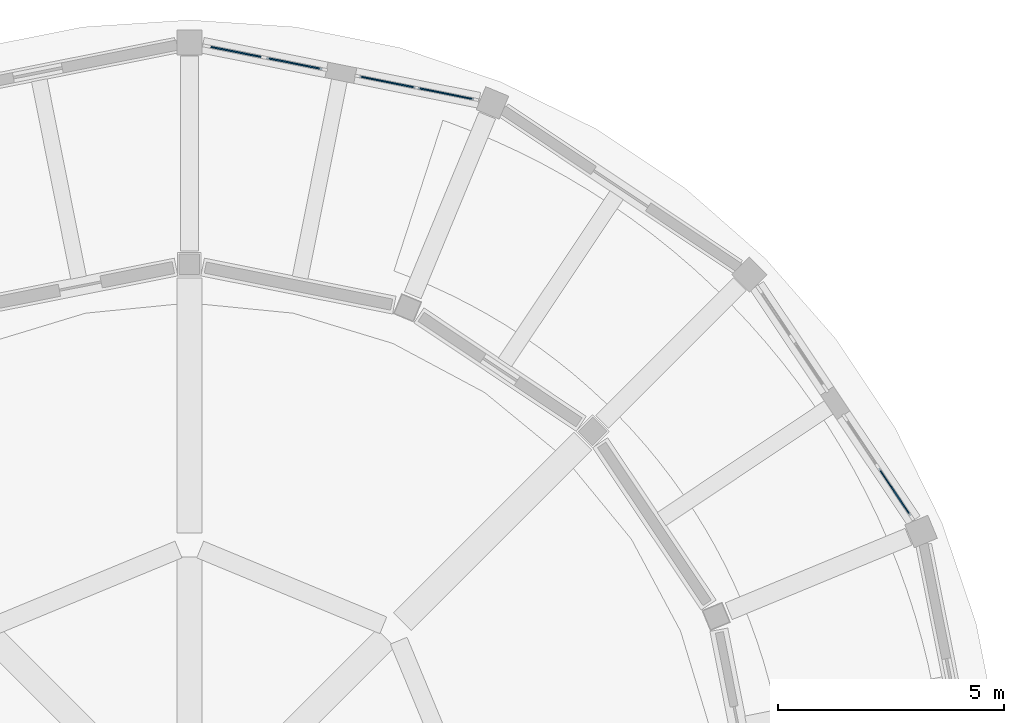
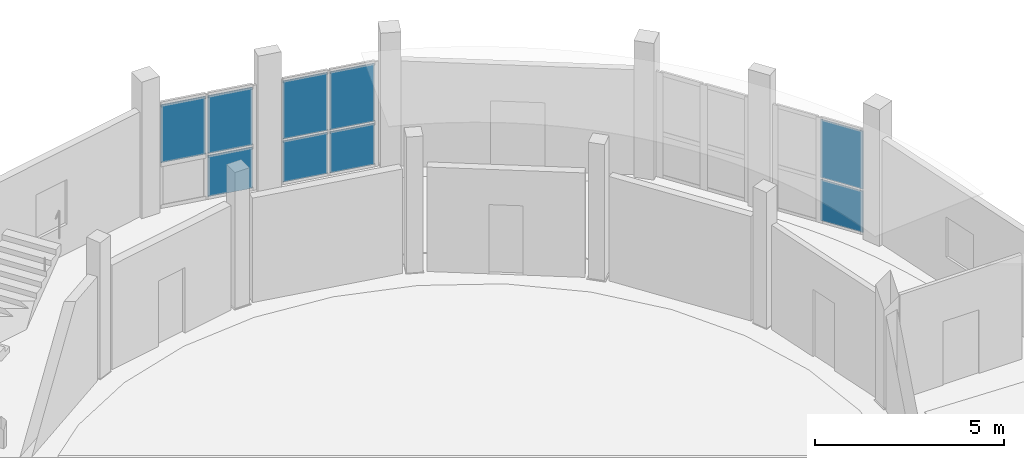
# One storey, part 58 of 92: 9 plates, 3 elements without a shape of their own.
"""IFC4 building model written with IfcOpenShell, lengths in metres."""

from ifc_helpers import new_model, si_unit, direction, frame, origin, origin_2d, place, context, subcontext, project, spatial, rectangle, extrude, material, layer, layer_set, type_object, element, aggregate, save


model = new_model("IFC4")

# Units and contexts
model_context = context("Model", 3, precision=1e-05, world=origin(), true_north=direction((0.0, 1.0)))
body_context = subcontext(model_context, "Body", "Model", "MODEL_VIEW")
ifc_project = project(units=[si_unit("LENGTHUNIT", "METRE"), si_unit("AREAUNIT", "SQUARE_METRE"), si_unit("VOLUMEUNIT", "CUBIC_METRE"), si_unit("PLANEANGLEUNIT", "RADIAN"), si_unit("MASSUNIT", "GRAM", prefix="KILO")], contexts=[model_context])

# Site, building, storey
site_placement = place(None, origin())
site = spatial("IfcSite", under=ifc_project, at=site_placement, CompositionType="ELEMENT")
building_placement = place(site_placement, origin())
building = spatial("IfcBuilding", under=site, at=building_placement, Name="Caldaven Crescent School", CompositionType="ELEMENT")
storey_placement = place(building_placement, origin())
storey = spatial("IfcBuildingStorey", under=building, at=storey_placement, Name="L00", CompositionType="ELEMENT", Elevation=0.0)

# Curtain wall, plates
ifc_material_1 = material(Name="Anodised aluminium AA 6063-T6 and low-E double glazing", Category="aluminium")
ifc_layer_1 = layer(ifc_material_1, 0.18994140625)
ifc_layer_set_1 = layer_set([ifc_layer_1], Name="Anodised aluminium AA 6063-T6 and low-E double glazing")
curtain_wall_type_1 = type_object("IfcCurtainWallType", Name="CW-SYS2", PredefinedType="NOTDEFINED", material=ifc_layer_set_1)
curtain_wall_1_placement = place(storey_placement, origin())
curtain_wall_1 = element("IfcCurtainWall", 1, at=curtain_wall_1_placement, inside=storey, type_object=curtain_wall_type_1, Name="CW-L00-001", PredefinedType="NOTDEFINED")
ifc_material_2 = material(Name="Tempered low-E double glazing IGU", Category="glass")
ifc_layer_2 = layer(ifc_material_2, 0.028076171875)
ifc_layer_set_2 = layer_set([ifc_layer_2], Name="Tempered low-E double glazing IGU")
plate_type_1 = type_object("IfcPlateType", Name="PLT-CWP02", PredefinedType="CURTAIN_PANEL", material=ifc_layer_set_2)
plate_1_placement = place(storey_placement, frame((168.084716796875, 106.06982421875, 0.06005859375), z_axis=(0.0, 0.0, 1.0), x_axis=(-0.555569320019, 0.83147022235, 0.0)))
plate_1 = element("IfcPlate", 2, at=plate_1_placement, type_object=plate_type_1, Name="CW2 panel 1.1", PredefinedType="CURTAIN_PANEL", context=body_context, shape_type="SweptSolid", body=[
    extrude(rectangle(XDim=1.24951171875, YDim=0.028076171875, at=origin_2d()), origin(), (0.0, 0.0, 1.0), 1.337890625),
])
plate_2_placement = place(storey_placement, frame((168.084716796875, 106.06982421875, 1.4580078125), z_axis=(0.0, 0.0, 1.0), x_axis=(-0.555569320019, 0.83147022235, 0.0)))
plate_2 = element("IfcPlate", 3, at=plate_2_placement, type_object=plate_type_1, Name="CW2 panel 1.2", PredefinedType="CURTAIN_PANEL", context=body_context, shape_type="SweptSolid", body=[
    extrude(rectangle(XDim=1.24951171875, YDim=0.028076171875, at=origin_2d()), origin(), (0.0, 0.0, 1.0), 1.882080078125),
])
aggregate(curtain_wall_1, [plate_1, plate_2])

ifc_layer_3 = layer(ifc_material_1, 0.22998046875)
ifc_layer_set_3 = layer_set([ifc_layer_3], Name="Anodised aluminium AA 6063-T6 and low-E double glazing")
curtain_wall_type_2 = type_object("IfcCurtainWallType", Name="CW-SYS4", PredefinedType="NOTDEFINED", material=ifc_layer_set_3)
curtain_wall_2_placement = place(storey_placement, origin())
curtain_wall_2 = element("IfcCurtainWall", 4, at=curtain_wall_2_placement, inside=storey, type_object=curtain_wall_type_2, Name="CW-L00-003", PredefinedType="NOTDEFINED")
ifc_layer_4 = layer(ifc_material_2, 0.031982421875)
ifc_layer_set_4 = layer_set([ifc_layer_4], Name="Tempered low-E double glazing IGU")
plate_type_2 = type_object("IfcPlateType", Name="PLT-CWP04", PredefinedType="CURTAIN_PANEL", material=ifc_layer_set_4)
plate_3_placement = place(storey_placement, frame((158.168701171875, 114.87255859375, 0.06494140625), z_axis=(0.0, 0.0, 1.0), x_axis=(-0.980785289392, 0.195090276825, 0.0)))
plate_3 = element("IfcPlate", 5, at=plate_3_placement, type_object=plate_type_2, Name="CW4 panel 1.1", PredefinedType="CURTAIN_PANEL", context=body_context, shape_type="SweptSolid", body=[
    extrude(rectangle(XDim=1.257080078125, YDim=0.031982421875, at=origin_2d()), origin(), (0.0, 0.0, 1.0), 1.33056640625),
])
plate_4_placement = place(storey_placement, frame((158.168701171875, 114.87255859375, 1.46044921875), z_axis=(0.0, 0.0, 1.0), x_axis=(-0.980785289392, 0.195090276825, 0.0)))
plate_4 = element("IfcPlate", 6, at=plate_4_placement, type_object=plate_type_2, Name="CW4 panel 1.2", PredefinedType="CURTAIN_PANEL", context=body_context, shape_type="SweptSolid", body=[
    extrude(rectangle(XDim=1.257080078125, YDim=0.031982421875, at=origin_2d()), origin(), (0.0, 0.0, 1.0), 1.87451171875),
])
plate_5_placement = place(storey_placement, frame((156.876953125, 115.12939453125, 0.06494140625), z_axis=(0.0, 0.0, 1.0), x_axis=(-0.980785289392, 0.195090276825, 0.0)))
plate_5 = element("IfcPlate", 7, at=plate_5_placement, type_object=plate_type_2, Name="CW4 panel 2.1", PredefinedType="CURTAIN_PANEL", context=body_context, shape_type="SweptSolid", body=[
    extrude(rectangle(XDim=1.257080078125, YDim=0.031982421875, at=origin_2d()), origin(), (0.0, 0.0, 1.0), 1.33056640625),
])
plate_6_placement = place(storey_placement, frame((156.876953125, 115.12939453125, 1.46044921875), z_axis=(0.0, 0.0, 1.0), x_axis=(-0.980785289392, 0.195090276825, 0.0)))
plate_6 = element("IfcPlate", 8, at=plate_6_placement, type_object=plate_type_2, Name="CW4 panel 2.2", PredefinedType="CURTAIN_PANEL", context=body_context, shape_type="SweptSolid", body=[
    extrude(rectangle(XDim=1.257080078125, YDim=0.031982421875, at=origin_2d()), origin(), (0.0, 0.0, 1.0), 1.87451171875),
])
aggregate(curtain_wall_2, [plate_3, plate_4, plate_5, plate_6])

ifc_layer_5 = layer(ifc_material_1, 0.169921875)
ifc_layer_set_5 = layer_set([ifc_layer_5], Name="Anodised aluminium AA 6063-T6 and low-E double glazing")
curtain_wall_type_3 = type_object("IfcCurtainWallType", Name="CW-SYS1", PredefinedType="NOTDEFINED", material=ifc_layer_set_5)
curtain_wall_3_placement = place(storey_placement, origin())
curtain_wall_3 = element("IfcCurtainWall", 9, at=curtain_wall_3_placement, inside=storey, type_object=curtain_wall_type_3, Name="CW-L00-004", PredefinedType="NOTDEFINED")
ifc_layer_6 = layer(ifc_material_2, 0.033935546875)
ifc_layer_set_6 = layer_set([ifc_layer_6], Name="Tempered low-E double glazing IGU")
plate_type_3 = type_object("IfcPlateType", Name="PLT-CWP05", PredefinedType="CURTAIN_PANEL", material=ifc_layer_set_6)
plate_7_placement = place(storey_placement, frame((154.81884765625, 115.538818359375, 0.06982421875), z_axis=(0.0, 0.0, 1.0), x_axis=(-0.980785289392, 0.195090276825, 0.0)))
plate_7 = element("IfcPlate", 10, at=plate_7_placement, type_object=plate_type_3, Name="CW1 panel 1.1", PredefinedType="CURTAIN_PANEL", context=body_context, shape_type="SweptSolid", body=[
    extrude(rectangle(XDim=1.24951171875, YDim=0.033935546875, at=origin_2d()), origin(), (0.0, 0.0, 1.0), 1.322998046875),
])
plate_8_placement = place(storey_placement, frame((154.81884765625, 115.538818359375, 1.462890625), z_axis=(0.0, 0.0, 1.0), x_axis=(-0.980785289392, 0.195090276825, 0.0)))
plate_8 = element("IfcPlate", 11, at=plate_8_placement, type_object=plate_type_3, Name="CW1 panel 1.2", PredefinedType="CURTAIN_PANEL", context=body_context, shape_type="SweptSolid", body=[
    extrude(rectangle(XDim=1.24951171875, YDim=0.033935546875, at=origin_2d()), origin(), (0.0, 0.0, 1.0), 1.866943359375),
])
plate_9_placement = place(storey_placement, frame((153.529541015625, 115.795166015625, 1.462890625), z_axis=(0.0, 0.0, 1.0), x_axis=(-0.980785289392, 0.195090276825, 0.0)))
plate_9 = element("IfcPlate", 12, at=plate_9_placement, type_object=plate_type_3, Name="CW1 panel 2.2", PredefinedType="CURTAIN_PANEL", context=body_context, shape_type="SweptSolid", body=[
    extrude(rectangle(XDim=1.24951171875, YDim=0.033935546875, at=origin_2d()), origin(), (0.0, 0.0, 1.0), 1.866943359375),
])
aggregate(curtain_wall_3, [plate_7, plate_8, plate_9])

save(model, "model.ifc")
